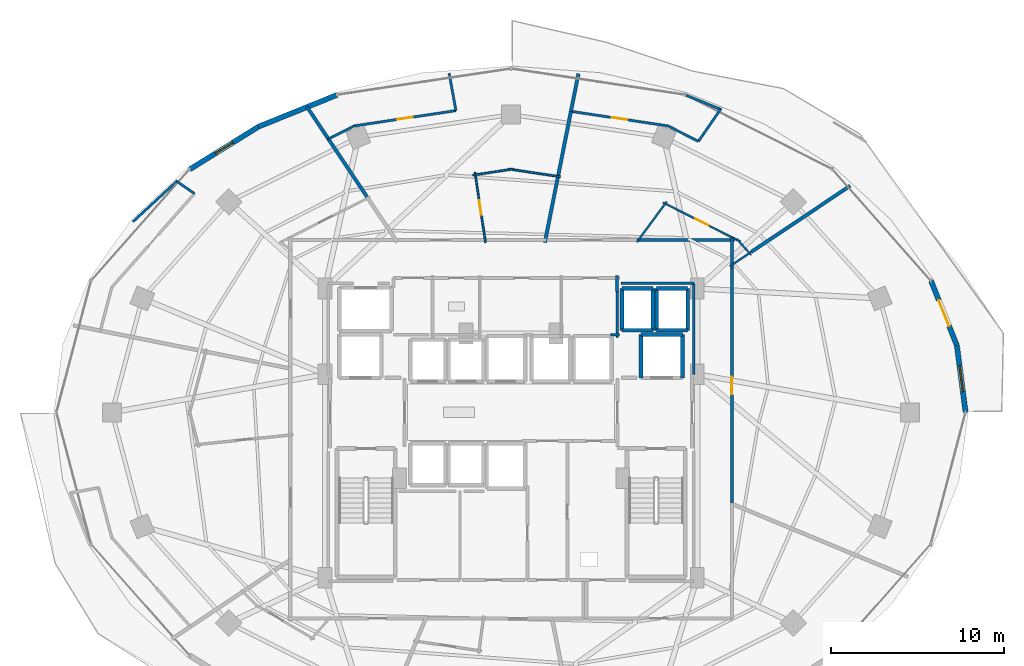
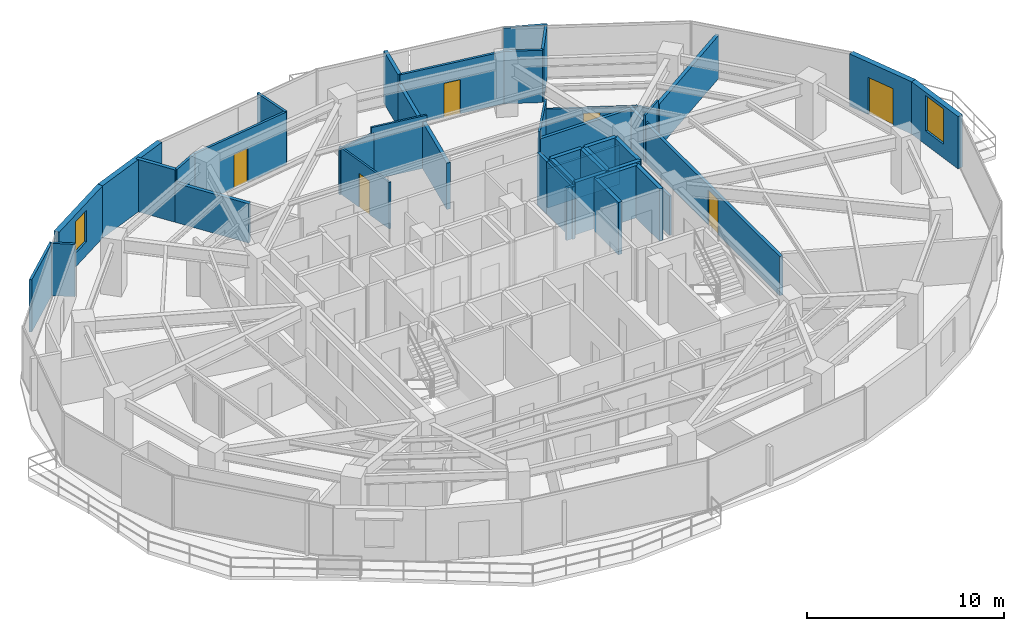
# One storey, part 25 of 29: 45 walls, 6 doors, 2 windows, 8 openings.
"""IFC4 building model written with IfcOpenShell, lengths in metres."""

from ifc_helpers import new_model, si_unit, direction, frame, frame_2d, origin, place, context, subcontext, project, spatial, rectangle, extrude, material, layer, layer_set, type_object, element, fill, save


model = new_model("IFC4")

# Units and contexts
model_context = context("Model", 3, precision=1e-05, world=origin(), true_north=direction((0.0, 1.0)))
body_context = subcontext(model_context, "Body", "Model", "MODEL_VIEW")
ifc_project = project(units=[si_unit("LENGTHUNIT", "METRE"), si_unit("AREAUNIT", "SQUARE_METRE"), si_unit("VOLUMEUNIT", "CUBIC_METRE"), si_unit("PLANEANGLEUNIT", "RADIAN"), si_unit("MASSUNIT", "GRAM", prefix="KILO")], contexts=[model_context])

# Site, building, storey
site_placement = place(None, origin())
site = spatial("IfcSite", under=ifc_project, at=site_placement, CompositionType="ELEMENT")
building_placement = place(site_placement, origin())
building = spatial("IfcBuilding", under=site, at=building_placement, Name="Vorneva Point Tower", CompositionType="ELEMENT")
storey_placement = place(building_placement, frame((0.0, 0.0, 85.800048828125)))
storey = spatial("IfcBuildingStorey", under=building, at=storey_placement, Name="L22", CompositionType="ELEMENT", Elevation=85.800048828125)

# Walls
ifc_material_1 = material(Name="Concrete B60 (C50/60)", Category="concrete")
ifc_layer_1 = layer(ifc_material_1, 0.5)
ifc_layer_set_1 = layer_set([ifc_layer_1], Name="Concrete B60 (C50/60)")
wall_type_1 = type_object("IfcWallType", Name="WL-CORE-500", PredefinedType="SHEAR", material=ifc_layer_set_1)
wall_1_placement = place(storey_placement, frame((47.89990234375, 28.0, 0.0), z_axis=(0.0, 0.0, 1.0), x_axis=(0.0, 1.0, 0.0)))
element("IfcWall", 1, at=wall_1_placement, inside=storey, type_object=wall_type_1, Name="L22 Lift FFL2 Shaft Wall +X", PredefinedType="SHEAR", context=body_context, shape_type="SweptSolid", body=[
    extrude(rectangle(XDim=2.5, YDim=0.219970703125, at=frame_2d((1.25, 0.0))), origin(), (0.0, 0.0, 1.0), 3.239990234375),
])
wall_2_placement = place(storey_placement, frame((47.89990234375, 30.5, 0.0), z_axis=(0.0, 0.0, 1.0), x_axis=(-1.0, 0.0, 0.0)))
element("IfcWall", 2, at=wall_2_placement, inside=storey, type_object=wall_type_1, Name="L22 Lift FFL2 Shaft Wall +Y", PredefinedType="SHEAR", context=body_context, shape_type="SweptSolid", body=[
    extrude(rectangle(XDim=2.39990234375, YDim=0.219970703125, at=frame_2d((1.199951171875, 0.0))), origin(), (0.0, 0.0, 1.0), 3.239990234375),
])
wall_3_placement = place(storey_placement, frame((45.5, 30.5, 0.0), z_axis=(0.0, 0.0, 1.0), x_axis=(0.0, -1.0, 0.0)))
element("IfcWall", 3, at=wall_3_placement, inside=storey, type_object=wall_type_1, Name="L22 Lift FFL2 Shaft Wall -X", PredefinedType="SHEAR", context=body_context, shape_type="SweptSolid", body=[
    extrude(rectangle(XDim=2.5, YDim=0.219970703125, at=frame_2d((1.25, 0.0))), origin(), (0.0, 0.0, 1.0), 3.239990234375),
])

# Wall, opening, window
ifc_material_2 = material(Name="Precast concrete B50 (C40/50)", Category="concrete")
ifc_layer_2 = layer(ifc_material_2, 0.300048828125)
ifc_layer_set_2 = layer_set([ifc_layer_2], Name="Precast concrete B50 (C40/50)")
wall_type_2 = type_object("IfcWallType", Name="WL-EXT-300", PredefinedType="STANDARD", material=ifc_layer_set_2)
wall_4_placement = place(storey_placement, frame((64.25, 26.0, 0.0), z_axis=(0.0, 0.0, 1.0), x_axis=(-0.129157444793, 0.991624099372, 0.0)))
wall_4 = element("IfcWall", 4, at=wall_4_placement, inside=storey, type_object=wall_type_2, Name="L22 Pale-Metal Facade Spandrel Wall 01.1", PredefinedType="STANDARD", context=body_context, shape_type="SweptSolid", body=[
    extrude(rectangle(XDim=3.9052734375, YDim=0.300048828125, at=frame_2d((1.95263671875, 0.0))), origin(), (0.0, 0.0, 1.0), 3.239990234375),
])
opening_1_placement = place(wall_4_placement, frame((1.20263671875, 0.0, 0.85009765625)))
opening_1 = element("IfcOpeningElement", 5, at=opening_1_placement, cuts=wall_4, Name="Opening W-02", PredefinedType="OPENING", context=body_context, shape_type="SweptSolid", body=[
    extrude(rectangle(XDim=1.5, YDim=2.18994140625, at=frame_2d((0.75, 1.094970703125))), frame((0.0, 0.1650390625, 0.0), z_axis=(0.0, -1.0, 0.0), x_axis=(1.0, 0.0, 0.0)), (0.0, 0.0, 1.0), 0.329833984375),
])
ifc_material_3 = material(Name="Double low-e laminated glass IGU", Category="glass")
window_type_1 = type_object("IfcWindowType", Name="WN-HTL-1500", PartitioningType="SINGLE_PANEL", PredefinedType="WINDOW", material=ifc_material_3)
window_1_placement = place(opening_1_placement, origin())
window_1 = element("IfcWindow", 6, at=window_1_placement, inside=storey, type_object=window_type_1, Name="L22 Facade Window 01", OverallHeight=2.18994140625, OverallWidth=1.5, PartitioningType="SINGLE_PANEL", PredefinedType="WINDOW", context=body_context, shape_type="SweptSolid", body=[
    extrude(rectangle(XDim=1.5, YDim=2.18994140625, at=frame_2d((0.75, 1.094970703125))), frame((0.0, 0.030029296875, 0.0), z_axis=(0.0, -1.0, 0.0), x_axis=(1.0, 0.0, 0.0)), (0.0, 0.0, 1.0), 0.06005859375),
])
fill(opening_1, window_1)

# Wall, opening, door
wall_5_placement = place(storey_placement, frame((63.74560546875, 29.87255859375, 0.0), z_axis=(0.0, 0.0, 1.0), x_axis=(-0.372345205928, 0.92809430966, 0.0)))
wall_5 = element("IfcWall", 7, at=wall_5_placement, inside=storey, type_object=wall_type_2, Name="L22 Pale-Metal Facade Spandrel Wall 01.2", PredefinedType="STANDARD", context=body_context, shape_type="SweptSolid", body=[
    extrude(rectangle(XDim=4.01220703125, YDim=0.300048828125, at=frame_2d((2.006103515625, 0.0))), origin(), (0.0, 0.0, 1.0), 3.239990234375),
])
opening_2_placement = place(wall_5_placement, frame((1.2060546875, 0.0, 0.0)))
opening_2 = element("IfcOpeningElement", 8, at=opening_2_placement, cuts=wall_5, Name="Opening BD-01", PredefinedType="OPENING", context=body_context, shape_type="SweptSolid", body=[
    extrude(rectangle(XDim=1.60009765625, YDim=2.300048828125, at=frame_2d((0.800048828125, 1.14990234375))), frame((0.0, 0.1650390625, 0.0), z_axis=(0.0, -1.0, 0.0), x_axis=(1.0, 0.0, 0.0)), (0.0, 0.0, 1.0), 0.329833984375),
])
ifc_material_4 = material(Name="Pale anodised aluminium", Category="aluminium")
door_type_1 = type_object("IfcDoorType", Name="DR-BAL-1600", OperationType="SLIDING_TO_LEFT", PredefinedType="DOOR", material=ifc_material_4)
door_1_placement = place(opening_2_placement, origin())
door_1 = element("IfcDoor", 9, at=door_1_placement, inside=storey, type_object=door_type_1, Name="L22 Balcony Terrace Access Door 01", OperationType="SLIDING_TO_LEFT", OverallHeight=2.300048828125, OverallWidth=1.60009765625, PredefinedType="DOOR", context=body_context, shape_type="SweptSolid", body=[
    extrude(rectangle(XDim=1.60009765625, YDim=2.300048828125, at=frame_2d((0.800048828125, 1.14990234375))), frame((0.0, 0.02490234375, 0.0), z_axis=(0.0, -1.0, 0.0), x_axis=(1.0, 0.0, 0.0)), (0.0, 0.0, 1.0), 0.050048828125),
])
fill(opening_2, door_1)

# Wall
wall_6_placement = place(storey_placement, frame((27.95458984375, 44.339111328125, 0.0), z_axis=(0.0, 0.0, 1.0), x_axis=(-0.927122233109, -0.374759075775, 0.0)))
element("IfcWall", 10, at=wall_6_placement, inside=storey, type_object=wall_type_2, Name="L22 Pale-Metal Facade Spandrel Wall 06.1", PredefinedType="STANDARD", context=body_context, shape_type="SweptSolid", body=[
    extrude(rectangle(XDim=4.89501953125, YDim=0.300048828125, at=frame_2d((2.447509765625, 0.0))), origin(), (0.0, 0.0, 1.0), 3.239990234375),
])

# Wall, opening, window
wall_7_placement = place(storey_placement, frame((23.416259765625, 42.504638671875, 0.0), z_axis=(0.0, 0.0, 1.0), x_axis=(-0.849684479743, -0.527291461038, 0.0)))
wall_7 = element("IfcWall", 11, at=wall_7_placement, inside=storey, type_object=wall_type_2, Name="L22 Pale-Metal Facade Spandrel Wall 06.2", PredefinedType="STANDARD", context=body_context, shape_type="SweptSolid", body=[
    extrude(rectangle(XDim=4.681396484375, YDim=0.300048828125, at=frame_2d((2.3408203125, 0.0))), origin(), (0.0, 0.0, 1.0), 3.239990234375),
])
opening_3_placement = place(wall_7_placement, frame((1.74072265625, 0.0, 0.85009765625)))
opening_3 = element("IfcOpeningElement", 12, at=opening_3_placement, cuts=wall_7, Name="Opening W-04", PredefinedType="OPENING", context=body_context, shape_type="SweptSolid", body=[
    extrude(rectangle(XDim=1.199951171875, YDim=1.949951171875, at=frame_2d((0.60009765625, 0.97509765625))), frame((0.0, 0.1650390625, 0.0), z_axis=(0.0, -1.0, 0.0), x_axis=(1.0, 0.0, 0.0)), (0.0, 0.0, 1.0), 0.329833984375),
])
window_type_2 = type_object("IfcWindowType", Name="WN-RES-1200", PartitioningType="SINGLE_PANEL", PredefinedType="WINDOW", material=ifc_material_3)
window_2_placement = place(opening_3_placement, origin())
window_2 = element("IfcWindow", 13, at=window_2_placement, inside=storey, type_object=window_type_2, Name="L22 Dwelling Vision Window 01", OverallHeight=1.949951171875, OverallWidth=1.199951171875, PartitioningType="SINGLE_PANEL", PredefinedType="WINDOW", context=body_context, shape_type="SweptSolid", body=[
    extrude(rectangle(XDim=1.199951171875, YDim=1.949951171875, at=frame_2d((0.60009765625, 0.97509765625))), frame((0.0, 0.030029296875, 0.0), z_axis=(0.0, -1.0, 0.0), x_axis=(1.0, 0.0, 0.0)), (0.0, 0.0, 1.0), 0.06005859375),
])
fill(opening_3, window_2)

# Wall
ifc_material_5 = material(Name="Fire-rated acoustic gypsum stud partition", Category="gypsum")
ifc_layer_3 = layer(ifc_material_5, 0.110107421875)
ifc_layer_set_3 = layer_set([ifc_layer_3], Name="Fire-rated acoustic gypsum stud partition")
wall_type_3 = type_object("IfcWallType", Name="WL-PART-110", PredefinedType="PARTITIONING", material=ifc_layer_set_3)
wall_8_placement = place(storey_placement, frame((45.265869140625, 35.83740234375, 0.0), z_axis=(0.0, 0.0, 1.0), x_axis=(0.594069015324, 0.804414075605, 0.0)))
element("IfcWall", 14, at=wall_8_placement, inside=storey, type_object=wall_type_3, Name="L22 Interior Partition 045", PredefinedType="PARTITIONING", context=body_context, shape_type="SweptSolid", body=[
    extrude(rectangle(XDim=2.8994140625, YDim=0.110107421875, at=frame_2d((1.44970703125, 0.0))), origin(), (0.0, 0.0, 1.0), 2.921875),
])

# Wall, opening, door
wall_9_placement = place(storey_placement, frame((46.780029296875, 38.1201171875, 0.0), z_axis=(0.0, 0.0, 1.0), x_axis=(0.892517538434, -0.451012686726, 0.0)))
wall_9 = element("IfcWall", 15, at=wall_9_placement, inside=storey, type_object=wall_type_3, Name="L22 Interior Partition 046", PredefinedType="PARTITIONING", context=body_context, shape_type="SweptSolid", body=[
    extrude(rectangle(XDim=5.007080078125, YDim=0.110107421875, at=frame_2d((2.50341796875, 0.0))), origin(), (0.0, 0.0, 1.0), 2.431884765625),
])
opening_4_placement = place(wall_9_placement, frame((2.07861328125, 0.0, 0.0)))
opening_4 = element("IfcOpeningElement", 16, at=opening_4_placement, cuts=wall_9, Name="Opening ID-02", PredefinedType="OPENING", context=body_context, shape_type="SweptSolid", body=[
    extrude(rectangle(XDim=0.85009765625, YDim=2.10009765625, at=frame_2d((0.425048828125, 1.050048828125))), frame((0.0, 0.06982421875, 0.0), z_axis=(0.0, -1.0, 0.0), x_axis=(1.0, 0.0, 0.0)), (0.0, 0.0, 1.0), 0.139892578125),
])
ifc_material_6 = material(Name="Engineered oak fire-rated door leaf", Category="wood")
door_type_2 = type_object("IfcDoorType", Name="DR-BATH-850", OperationType="NOTDEFINED", PredefinedType="DOOR", material=ifc_material_6)
door_2_placement = place(opening_4_placement, origin())
door_2 = element("IfcDoor", 17, at=door_2_placement, inside=storey, type_object=door_type_2, Name="L22 Door Corner Suite L22-01 / En-Suite Bathroom L22-01", OperationType="SINGLE_SWING_LEFT", OverallHeight=2.10009765625, OverallWidth=0.85009765625, PredefinedType="DOOR", context=body_context, shape_type="SweptSolid", body=[
    extrude(rectangle(XDim=0.85009765625, YDim=2.10009765625, at=frame_2d((0.425048828125, 1.050048828125))), frame((0.0, 0.02490234375, 0.0), z_axis=(0.0, -1.0, 0.0), x_axis=(1.0, 0.0, 0.0)), (0.0, 0.0, 1.0), 0.050048828125),
])
fill(opening_4, door_2)

# Walls
wall_10_placement = place(storey_placement, frame((51.03125, 36.02978515625, 0.0), z_axis=(0.0, 0.0, 1.0), x_axis=(0.661996266618, -0.749507133377, 0.0)))
element("IfcWall", 18, at=wall_10_placement, inside=storey, type_object=wall_type_3, Name="L22 Interior Partition 047", PredefinedType="PARTITIONING", context=body_context, shape_type="SweptSolid", body=[
    extrude(rectangle(XDim=1.249755859375, YDim=0.110107421875, at=frame_2d((0.625, 0.0))), origin(), (0.0, 0.0, 1.0), 2.431884765625),
])
wall_11_placement = place(storey_placement, frame((51.88232421875, 35.27587890625, 0.0), z_axis=(0.0, 0.0, 1.0), x_axis=(-0.831374526136, -0.555712513169, 0.0)))
element("IfcWall", 19, at=wall_11_placement, inside=storey, type_object=wall_type_3, Name="L22 Interior Partition 048", PredefinedType="PARTITIONING", context=body_context, shape_type="SweptSolid", body=[
    extrude(rectangle(XDim=1.501953125, YDim=0.110107421875, at=frame_2d((0.7509765625, 0.0))), origin(), (0.0, 0.0, 1.0), 2.921875),
])

# Wall, opening, door
wall_12_placement = place(storey_placement, frame((36.52490234375, 35.8115234375, 0.0), z_axis=(0.0, 0.0, 1.0), x_axis=(-0.148739497936, 0.988876413792, 0.0)))
wall_12 = element("IfcWall", 20, at=wall_12_placement, inside=storey, type_object=wall_type_3, Name="L22 Interior Partition 057", PredefinedType="PARTITIONING", context=body_context, shape_type="SweptSolid", body=[
    extrude(rectangle(XDim=4.0986328125, YDim=0.110107421875, at=frame_2d((2.04931640625, 0.0))), origin(), (0.0, 0.0, 1.0), 2.8740234375),
])
opening_5_placement = place(wall_12_placement, frame((1.624267578125, 0.0, 0.0)))
opening_5 = element("IfcOpeningElement", 21, at=opening_5_placement, cuts=wall_12, Name="Opening ID-02", PredefinedType="OPENING", context=body_context, shape_type="SweptSolid", body=[
    extrude(rectangle(XDim=0.85009765625, YDim=2.10009765625, at=frame_2d((0.425048828125, 1.050048828125))), frame((0.0, 0.06982421875, 0.0), z_axis=(0.0, -1.0, 0.0), x_axis=(1.0, 0.0, 0.0)), (0.0, 0.0, 1.0), 0.139892578125),
])
door_3_placement = place(opening_5_placement, origin())
door_3 = element("IfcDoor", 22, at=door_3_placement, inside=storey, type_object=door_type_2, Name="L22 Door Junior Suite L22-02 / En-Suite Bathroom L22-02", OperationType="SINGLE_SWING_LEFT", OverallHeight=2.10009765625, OverallWidth=0.85009765625, PredefinedType="DOOR", context=body_context, shape_type="SweptSolid", body=[
    extrude(rectangle(XDim=0.85009765625, YDim=2.10009765625, at=frame_2d((0.425048828125, 1.050048828125))), frame((0.0, 0.02490234375, 0.0), z_axis=(0.0, -1.0, 0.0), x_axis=(1.0, 0.0, 0.0)), (0.0, 0.0, 1.0), 0.050048828125),
])
fill(opening_5, door_3)

# Walls
wall_13_placement = place(storey_placement, frame((35.797607421875, 39.705078125, 0.0), z_axis=(0.0, 0.0, 1.0), x_axis=(0.988893947493, 0.148622880511, 0.0)))
element("IfcWall", 23, at=wall_13_placement, inside=storey, type_object=wall_type_3, Name="L22 Interior Partition 058", PredefinedType="PARTITIONING", context=body_context, shape_type="SweptSolid", body=[
    extrude(rectangle(XDim=2.3671875, YDim=0.110107421875, at=frame_2d((1.18359375, 0.0))), origin(), (0.0, 0.0, 1.0), 2.8740234375),
])
wall_14_placement = place(storey_placement, frame((37.861572265625, 40.056884765625, 0.0), z_axis=(0.0, 0.0, 1.0), x_axis=(0.988861549405, -0.148838288446, 0.0)))
element("IfcWall", 24, at=wall_14_placement, inside=storey, type_object=wall_type_3, Name="L22 Interior Partition 059", PredefinedType="PARTITIONING", context=body_context, shape_type="SweptSolid", body=[
    extrude(rectangle(XDim=3.021484375, YDim=0.110107421875, at=frame_2d((1.5107421875, 0.0))), origin(), (0.0, 0.0, 1.0), 3.239990234375),
])
ifc_layer_4 = layer(ifc_material_5, 0.139892578125)
ifc_layer_set_4 = layer_set([ifc_layer_4], Name="Fire-rated acoustic gypsum stud partition")
wall_type_4 = type_object("IfcWallType", Name="WL-PART-140", PredefinedType="PARTITIONING", material=ifc_layer_set_4)
wall_15_placement = place(storey_placement, frame((50.10009765625, 43.507080078125, 0.0), z_axis=(0.0, 0.0, 1.0), x_axis=(-0.568470595976, -0.822703580587, 0.0)))
element("IfcWall", 25, at=wall_15_placement, inside=storey, type_object=wall_type_4, Name="L22 Interior Partition 049", PredefinedType="PARTITIONING", context=body_context, shape_type="SweptSolid", body=[
    extrude(rectangle(XDim=2.25, YDim=0.139892578125, at=frame_2d((1.125, 0.0))), origin(), (0.0, 0.0, 1.0), 3.239990234375),
])
wall_16_placement = place(storey_placement, frame((48.821044921875, 41.656005859375, 0.0), z_axis=(0.0, 0.0, 1.0), x_axis=(-0.892511395612, 0.451024842668, 0.0)))
element("IfcWall", 26, at=wall_16_placement, inside=storey, type_object=wall_type_4, Name="L22 Interior Partition 050", PredefinedType="PARTITIONING", context=body_context, shape_type="SweptSolid", body=[
    extrude(rectangle(XDim=1.970947265625, YDim=0.139892578125, at=frame_2d((0.9853515625, 0.0))), origin(), (0.0, 0.0, 1.0), 3.239990234375),
])

# Wall, opening, door
wall_17_placement = place(storey_placement, frame((47.06201171875, 42.544921875, 0.0), z_axis=(0.0, 0.0, 1.0), x_axis=(-0.988869883596, 0.148782906669, 0.0)))
wall_17 = element("IfcWall", 27, at=wall_17_placement, inside=storey, type_object=wall_type_4, Name="L22 Interior Partition 051", PredefinedType="PARTITIONING", context=body_context, shape_type="SweptSolid", body=[
    extrude(rectangle(XDim=5.666015625, YDim=0.139892578125, at=frame_2d((2.8330078125, 0.0))), origin(), (0.0, 0.0, 1.0), 3.239990234375),
])
opening_6_placement = place(wall_17_placement, frame((2.383056640625, 0.0, 0.0)))
opening_6 = element("IfcOpeningElement", 28, at=opening_6_placement, cuts=wall_17, Name="Opening ID-01", PredefinedType="OPENING", context=body_context, shape_type="SweptSolid", body=[
    extrude(rectangle(XDim=0.89990234375, YDim=2.10009765625, at=frame_2d((0.449951171875, 1.050048828125))), frame((0.0, 0.0849609375, 0.0), z_axis=(0.0, -1.0, 0.0), x_axis=(1.0, 0.0, 0.0)), (0.0, 0.0, 1.0), 0.169677734375),
])
door_type_3 = type_object("IfcDoorType", Name="DR-ROOM-900", OperationType="NOTDEFINED", PredefinedType="DOOR", material=ifc_material_6)
door_4_placement = place(opening_6_placement, origin())
door_4 = element("IfcDoor", 29, at=door_4_placement, inside=storey, type_object=door_type_3, Name="L22 Door Corner Suite L22-01 / Suite Sitting Study L22-01", OperationType="SINGLE_SWING_RIGHT", OverallHeight=2.10009765625, OverallWidth=0.89990234375, PredefinedType="DOOR", context=body_context, shape_type="SweptSolid", body=[
    extrude(rectangle(XDim=0.89990234375, YDim=2.10009765625, at=frame_2d((0.449951171875, 1.050048828125))), frame((0.0, 0.02490234375, 0.0), z_axis=(0.0, -1.0, 0.0), x_axis=(1.0, 0.0, 0.0)), (0.0, 0.0, 1.0), 0.050048828125),
])
fill(opening_6, door_4)

# Walls
wall_18_placement = place(storey_placement, frame((50.156005859375, 43.485107421875, 0.0), z_axis=(0.0, 0.0, 1.0), x_axis=(-0.926988791776, 0.375089029327, 0.0)))
element("IfcWall", 30, at=wall_18_placement, inside=storey, type_object=wall_type_4, Name="L22 Interior Partition 052", PredefinedType="PARTITIONING", context=body_context, shape_type="SweptSolid", body=[
    extrude(rectangle(XDim=2.26318359375, YDim=0.139892578125, at=frame_2d((1.131591796875, 0.0))), origin(), (0.0, 0.0, 1.0), 3.239990234375),
])
wall_19_placement = place(storey_placement, frame((34.424072265625, 45.5830078125, 0.0), z_axis=(0.0, 0.0, 1.0), x_axis=(0.179405454878, -0.983775219631, 0.0)))
element("IfcWall", 31, at=wall_19_placement, inside=storey, type_object=wall_type_4, Name="L22 Interior Partition 060", PredefinedType="PARTITIONING", context=body_context, shape_type="SweptSolid", body=[
    extrude(rectangle(XDim=2.189697265625, YDim=0.139892578125, at=frame_2d((1.0947265625, 0.0))), origin(), (0.0, 0.0, 1.0), 3.239990234375),
])

# Wall, opening, door
wall_20_placement = place(storey_placement, frame((34.81689453125, 43.428955078125, 0.0), z_axis=(0.0, 0.0, 1.0), x_axis=(-0.988882066939, -0.14870190882, 0.0)))
wall_20 = element("IfcWall", 32, at=wall_20_placement, inside=storey, type_object=wall_type_4, Name="L22 Interior Partition 061", PredefinedType="PARTITIONING", context=body_context, shape_type="SweptSolid", body=[
    extrude(rectangle(XDim=5.945068359375, YDim=0.139892578125, at=frame_2d((2.97265625, 0.0))), origin(), (0.0, 0.0, 1.0), 3.239990234375),
])
opening_7_placement = place(wall_20_placement, frame((2.5224609375, 0.0, 0.0)))
opening_7 = element("IfcOpeningElement", 33, at=opening_7_placement, cuts=wall_20, Name="Opening ID-01", PredefinedType="OPENING", context=body_context, shape_type="SweptSolid", body=[
    extrude(rectangle(XDim=0.89990234375, YDim=2.10009765625, at=frame_2d((0.449951171875, 1.050048828125))), frame((0.0, 0.0849609375, 0.0), z_axis=(0.0, -1.0, 0.0), x_axis=(1.0, 0.0, 0.0)), (0.0, 0.0, 1.0), 0.169677734375),
])
door_5_placement = place(opening_7_placement, origin())
door_5 = element("IfcDoor", 34, at=door_5_placement, inside=storey, type_object=door_type_3, Name="L22 Door Junior Suite L22-02 / Suite Sitting Study L22-02", OperationType="SINGLE_SWING_RIGHT", OverallHeight=2.10009765625, OverallWidth=0.89990234375, PredefinedType="DOOR", context=body_context, shape_type="SweptSolid", body=[
    extrude(rectangle(XDim=0.89990234375, YDim=2.10009765625, at=frame_2d((0.449951171875, 1.050048828125))), frame((0.0, 0.02490234375, 0.0), z_axis=(0.0, -1.0, 0.0), x_axis=(1.0, 0.0, 0.0)), (0.0, 0.0, 1.0), 0.050048828125),
])
fill(opening_7, door_5)

# Walls
wall_21_placement = place(storey_placement, frame((28.93798828125, 42.544921875, 0.0), z_axis=(0.0, 0.0, 1.0), x_axis=(-0.892517956507, -0.451011859392, 0.0)))
element("IfcWall", 35, at=wall_21_placement, inside=storey, type_object=wall_type_4, Name="L22 Interior Partition 062", PredefinedType="PARTITIONING", context=body_context, shape_type="SweptSolid", body=[
    extrude(rectangle(XDim=1.66943359375, YDim=0.139892578125, at=frame_2d((0.834716796875, 0.0))), origin(), (0.0, 0.0, 1.0), 3.239990234375),
])
wall_22_placement = place(storey_placement, frame((18.736083984375, 39.386962890625, 0.0), z_axis=(0.0, 0.0, 1.0), x_axis=(-0.734814136931, -0.678268519221, 0.0)))
element("IfcWall", 36, at=wall_22_placement, inside=storey, type_object=wall_type_4, Name="L22 Interior Partition 068", PredefinedType="PARTITIONING", context=body_context, shape_type="SweptSolid", body=[
    extrude(rectangle(XDim=3.50146484375, YDim=0.139892578125, at=frame_2d((1.750732421875, 0.0))), origin(), (0.0, 0.0, 1.0), 3.239990234375),
])
wall_23_placement = place(storey_placement, frame((18.69091796875, 39.344970703125, 0.0), z_axis=(0.0, 0.0, 1.0), x_axis=(0.822746935214, -0.568407847057, 0.0)))
element("IfcWall", 37, at=wall_23_placement, inside=storey, type_object=wall_type_4, Name="L22 Interior Partition 069", PredefinedType="PARTITIONING", context=body_context, shape_type="SweptSolid", body=[
    extrude(rectangle(XDim=1.250732421875, YDim=0.139892578125, at=frame_2d((0.62548828125, 0.0))), origin(), (0.0, 0.0, 1.0), 3.239990234375),
])
wall_24_placement = place(storey_placement, frame((43.735107421875, 30.47998046875, 0.0), z_axis=(0.0, 0.0, 1.0), x_axis=(1.0, 0.0, 0.0)))
element("IfcWall", 38, at=wall_24_placement, inside=storey, type_object=wall_type_4, Name="L22 Interior Closure Partition 097", PredefinedType="PARTITIONING", context=body_context, shape_type="SweptSolid", body=[
    extrude(rectangle(XDim=0.52490234375, YDim=0.139892578125, at=frame_2d((0.262451171875, 0.0))), origin(), (0.0, 0.0, 1.0), 3.239990234375),
])
wall_25_placement = place(storey_placement, frame((44.1201171875, 30.340087890625, 0.0), z_axis=(0.0, 0.0, 1.0), x_axis=(0.0, 1.0, 0.0)))
element("IfcWall", 39, at=wall_25_placement, inside=storey, type_object=wall_type_4, Name="L22 Interior Closure Partition 098", PredefinedType="PARTITIONING", context=body_context, shape_type="SweptSolid", body=[
    extrude(rectangle(XDim=2.659912109375, YDim=0.139892578125, at=frame_2d((1.330078125, 0.0))), origin(), (0.0, 0.0, 1.0), 3.239990234375),
])
wall_26_placement = place(storey_placement, frame((44.340087890625, 33.449951171875, 0.0), z_axis=(0.0, 0.0, 1.0), x_axis=(1.0, 0.0, 0.0)))
element("IfcWall", 40, at=wall_26_placement, inside=storey, type_object=wall_type_4, Name="L22 Interior Closure Partition 101", PredefinedType="PARTITIONING", context=body_context, shape_type="SweptSolid", body=[
    extrude(rectangle(XDim=4.2099609375, YDim=0.139892578125, at=frame_2d((2.10498046875, 0.0))), origin(), (0.0, 0.0, 1.0), 2.431884765625),
])
wall_27_placement = place(storey_placement, frame((48.550048828125, 33.449951171875, 0.0), z_axis=(0.0, 0.0, 1.0), x_axis=(0.0, -1.0, 0.0)))
element("IfcWall", 41, at=wall_27_placement, inside=storey, type_object=wall_type_4, Name="L22 Interior Closure Partition 102", PredefinedType="PARTITIONING", context=body_context, shape_type="SweptSolid", body=[
    extrude(rectangle(XDim=5.25390625, YDim=0.139892578125, at=frame_2d((2.626953125, 0.0))), origin(), (0.0, 0.0, 1.0), 2.431884765625),
])
ifc_material_7 = material(Name="Autoclaved aerated concrete blockwork", Category="masonry")
ifc_layer_5 = layer(ifc_material_7, 0.179931640625)
ifc_layer_set_5 = layer_set([ifc_layer_5], Name="Autoclaved aerated concrete blockwork")
wall_type_5 = type_object("IfcWallType", Name="WL-PART-180", PredefinedType="PARTITIONING", material=ifc_layer_set_5)
wall_28_placement = place(storey_placement, frame((44.1201171875, 32.969970703125, 0.0), z_axis=(0.0, 0.0, 1.0), x_axis=(0.0, 1.0, 0.0)))
element("IfcWall", 42, at=wall_28_placement, inside=storey, type_object=wall_type_5, Name="L22 Interior Partition 020", PredefinedType="PARTITIONING", context=body_context, shape_type="SweptSolid", body=[
    extrude(rectangle(XDim=0.929931640625, YDim=0.179931640625, at=frame_2d((0.46484375, 0.0))), origin(), (0.0, 0.0, 1.0), 3.239990234375),
])
wall_29_placement = place(storey_placement, frame((50.75, 34.319091796875, 0.0), z_axis=(0.0, 0.0, 1.0), x_axis=(0.0, 1.0, 0.0)))
element("IfcWall", 43, at=wall_29_placement, inside=storey, type_object=wall_type_5, Name="L22 Interior Partition 025", PredefinedType="PARTITIONING", context=body_context, shape_type="SweptSolid", body=[
    extrude(rectangle(XDim=1.77099609375, YDim=0.179931640625, at=frame_2d((0.885498046875, 0.0))), origin(), (0.0, 0.0, 1.0), 2.431884765625),
])
wall_30_placement = place(storey_placement, frame((50.889892578125, 35.949951171875, 0.0), z_axis=(0.0, 0.0, 1.0), x_axis=(-1.0, 0.0, 0.0)))
element("IfcWall", 44, at=wall_30_placement, inside=storey, type_object=wall_type_5, Name="L22 Interior Partition 026", PredefinedType="PARTITIONING", context=body_context, shape_type="SweptSolid", body=[
    extrude(rectangle(XDim=5.60595703125, YDim=0.179931640625, at=frame_2d((2.802978515625, 0.0))), origin(), (0.0, 0.0, 1.0), 2.431884765625),
])

# Wall, opening, door
wall_31_placement = place(storey_placement, frame((50.75, 20.779052734375, 0.0), z_axis=(0.0, 0.0, 1.0), x_axis=(0.0, 1.0, 0.0)))
wall_31 = element("IfcWall", 45, at=wall_31_placement, inside=storey, type_object=wall_type_5, Name="L22 Interior Partition 044", PredefinedType="PARTITIONING", context=body_context, shape_type="SweptSolid", body=[
    extrude(rectangle(XDim=13.5400390625, YDim=0.179931640625, at=frame_2d((6.77001953125, 0.0))), origin(), (0.0, 0.0, 1.0), 2.431884765625),
])
opening_8_placement = place(wall_31_placement, frame((6.27001953125, 0.0, 0.0)))
opening_8 = element("IfcOpeningElement", 46, at=opening_8_placement, cuts=wall_31, Name="Opening UD-01", PredefinedType="OPENING", context=body_context, shape_type="SweptSolid", body=[
    extrude(rectangle(XDim=1.0, YDim=2.14990234375, at=frame_2d((0.5, 1.074951171875))), frame((0.0, 0.10498046875, 0.0), z_axis=(0.0, -1.0, 0.0), x_axis=(1.0, 0.0, 0.0)), (0.0, 0.0, 1.0), 0.209716796875),
])
door_type_4 = type_object("IfcDoorType", Name="DR-UNIT-1000", OperationType="NOTDEFINED", PredefinedType="DOOR", material=ifc_material_6)
door_6_placement = place(opening_8_placement, origin())
door_6 = element("IfcDoor", 47, at=door_6_placement, inside=storey, type_object=door_type_4, Name="L22 Door L22 Circulation Corridor / Hotel Club Lounge L22-08", OperationType="SINGLE_SWING_RIGHT", OverallHeight=2.14990234375, OverallWidth=1.0, PredefinedType="DOOR", context=body_context, shape_type="SweptSolid", body=[
    extrude(rectangle(XDim=1.0, YDim=2.14990234375, at=frame_2d((0.5, 1.074951171875))), frame((0.0, 0.02490234375, 0.0), z_axis=(0.0, -1.0, 0.0), x_axis=(1.0, 0.0, 0.0)), (0.0, 0.0, 1.0), 0.050048828125),
])
fill(opening_8, door_6)

# Walls
ifc_layer_6 = layer(ifc_material_7, 0.199951171875)
ifc_layer_set_6 = layer_set([ifc_layer_6], Name="Autoclaved aerated concrete blockwork")
wall_type_6 = type_object("IfcWallType", Name="WL-PART-200", PredefinedType="PARTITIONING", material=ifc_layer_set_6)
wall_32_placement = place(storey_placement, frame((41.458984375, 43.387939453125, 0.0), z_axis=(0.0, 0.0, 1.0), x_axis=(-0.195187593062, -0.980765926975, 0.0)))
element("IfcWall", 48, at=wall_32_placement, inside=storey, type_object=wall_type_6, Name="L22 Interior Partition 053", PredefinedType="PARTITIONING", context=body_context, shape_type="SweptSolid", body=[
    extrude(rectangle(XDim=3.893798828125, YDim=0.199951171875, at=frame_2d((1.94677734375, 0.0))), origin(), (0.0, 0.0, 1.0), 2.677001953125),
])
wall_33_placement = place(storey_placement, frame((40.726806640625, 39.706298828125, 0.0), z_axis=(0.0, 0.0, 1.0), x_axis=(-0.195252736913, -0.980752960091, 0.0)))
element("IfcWall", 49, at=wall_33_placement, inside=storey, type_object=wall_type_6, Name="L22 Interior Partition 054", PredefinedType="PARTITIONING", context=body_context, shape_type="SweptSolid", body=[
    extrude(rectangle(XDim=3.969970703125, YDim=0.199951171875, at=frame_2d((1.98486328125, 0.0))), origin(), (0.0, 0.0, 1.0), 2.8740234375),
])
wall_34_placement = place(storey_placement, frame((51.882568359375, 35.275634765625, 0.0), z_axis=(0.0, 0.0, 1.0), x_axis=(0.831464132421, 0.555578434154, 0.0)))
element("IfcWall", 50, at=wall_34_placement, inside=storey, type_object=wall_type_6, Name="L22 Interior Partition 055", PredefinedType="PARTITIONING", context=body_context, shape_type="SweptSolid", body=[
    extrude(rectangle(XDim=6.86181640625, YDim=0.199951171875, at=frame_2d((3.430908203125, 0.0))), origin(), (0.0, 0.0, 1.0), 2.677001953125),
])
wall_35_placement = place(storey_placement, frame((41.89111328125, 45.55908203125, 0.0), z_axis=(0.0, 0.0, 1.0), x_axis=(-0.195204079936, -0.980762645688, 0.0)))
element("IfcWall", 51, at=wall_35_placement, inside=storey, type_object=wall_type_6, Name="L22 Interior Partition 056", PredefinedType="PARTITIONING", context=body_context, shape_type="SweptSolid", body=[
    extrude(rectangle(XDim=2.213623046875, YDim=0.199951171875, at=frame_2d((1.10693359375, 0.0))), origin(), (0.0, 0.0, 1.0), 3.239990234375),
])
wall_36_placement = place(storey_placement, frame((27.447998046875, 41.7919921875, 0.0), z_axis=(0.0, 0.0, 1.0), x_axis=(0.555619383998, -0.831436768567, 0.0)))
element("IfcWall", 52, at=wall_36_placement, inside=storey, type_object=wall_type_6, Name="L22 Interior Partition 063", PredefinedType="PARTITIONING", context=body_context, shape_type="SweptSolid", body=[
    extrude(rectangle(XDim=4.16650390625, YDim=0.199951171875, at=frame_2d((2.083251953125, 0.0))), origin(), (0.0, 0.0, 1.0), 2.431884765625),
])
wall_37_placement = place(storey_placement, frame((26.217041015625, 43.635009765625, 0.0), z_axis=(0.0, 0.0, 1.0), x_axis=(0.555411777185, -0.831575467269, 0.0)))
element("IfcWall", 53, at=wall_37_placement, inside=storey, type_object=wall_type_6, Name="L22 Interior Partition 065", PredefinedType="PARTITIONING", context=body_context, shape_type="SweptSolid", body=[
    extrude(rectangle(XDim=2.21630859375, YDim=0.199951171875, at=frame_2d((1.108154296875, 0.0))), origin(), (0.0, 0.0, 1.0), 3.239990234375),
])
ifc_material_8 = material(Name="Concrete B50 (C40/50)", Category="concrete")
ifc_layer_7 = layer(ifc_material_8, 0.219970703125)
ifc_layer_set_7 = layer_set([ifc_layer_7], Name="Concrete B50 (C40/50)")
wall_type_7 = type_object("IfcWallType", Name="WL-SHFT-220", PredefinedType="SOLIDWALL", material=ifc_layer_set_7)
wall_38_placement = place(storey_placement, frame((44.39990234375, 30.739990234375, 0.0), z_axis=(0.0, 0.0, 1.0), x_axis=(1.0, 0.0, 0.0)))
element("IfcWall", 54, at=wall_38_placement, inside=storey, type_object=wall_type_7, Name="L22 Lift EX1 Shaft Wall -Y", PredefinedType="SOLIDWALL", context=body_context, shape_type="SweptSolid", body=[
    extrude(rectangle(XDim=1.800048828125, YDim=0.219970703125, at=frame_2d((0.89990234375, 0.0))), origin(), (0.0, 0.0, 1.0), 3.239990234375),
])
wall_39_placement = place(storey_placement, frame((46.199951171875, 30.739990234375, 0.0), z_axis=(0.0, 0.0, 1.0), x_axis=(0.0, 1.0, 0.0)))
element("IfcWall", 55, at=wall_39_placement, inside=storey, type_object=wall_type_7, Name="L22 Lift EX1 Shaft Wall +X", PredefinedType="SOLIDWALL", context=body_context, shape_type="SweptSolid", body=[
    extrude(rectangle(XDim=2.419921875, YDim=0.219970703125, at=frame_2d((1.2099609375, 0.0))), origin(), (0.0, 0.0, 1.0), 3.239990234375),
])
wall_40_placement = place(storey_placement, frame((46.199951171875, 33.159912109375, 0.0), z_axis=(0.0, 0.0, 1.0), x_axis=(-1.0, 0.0, 0.0)))
element("IfcWall", 56, at=wall_40_placement, inside=storey, type_object=wall_type_7, Name="L22 Lift EX1 Shaft Wall +Y", PredefinedType="SOLIDWALL", context=body_context, shape_type="SweptSolid", body=[
    extrude(rectangle(XDim=1.800048828125, YDim=0.219970703125, at=frame_2d((0.89990234375, 0.0))), origin(), (0.0, 0.0, 1.0), 3.239990234375),
])
wall_41_placement = place(storey_placement, frame((44.39990234375, 33.159912109375, 0.0), z_axis=(0.0, 0.0, 1.0), x_axis=(0.0, -1.0, 0.0)))
element("IfcWall", 57, at=wall_41_placement, inside=storey, type_object=wall_type_7, Name="L22 Lift EX1 Shaft Wall -X", PredefinedType="SOLIDWALL", context=body_context, shape_type="SweptSolid", body=[
    extrude(rectangle(XDim=2.419921875, YDim=0.219970703125, at=frame_2d((1.2099609375, 0.0))), origin(), (0.0, 0.0, 1.0), 3.239990234375),
])
wall_42_placement = place(storey_placement, frame((46.39990234375, 30.739990234375, 0.0), z_axis=(0.0, 0.0, 1.0), x_axis=(1.0, 0.0, 0.0)))
element("IfcWall", 58, at=wall_42_placement, inside=storey, type_object=wall_type_7, Name="L22 Lift EX2 Shaft Wall -Y", PredefinedType="SOLIDWALL", context=body_context, shape_type="SweptSolid", body=[
    extrude(rectangle(XDim=1.800048828125, YDim=0.219970703125, at=frame_2d((0.89990234375, 0.0))), origin(), (0.0, 0.0, 1.0), 3.239990234375),
])
wall_43_placement = place(storey_placement, frame((48.199951171875, 30.739990234375, 0.0), z_axis=(0.0, 0.0, 1.0), x_axis=(0.0, 1.0, 0.0)))
element("IfcWall", 59, at=wall_43_placement, inside=storey, type_object=wall_type_7, Name="L22 Lift EX2 Shaft Wall +X", PredefinedType="SOLIDWALL", context=body_context, shape_type="SweptSolid", body=[
    extrude(rectangle(XDim=2.419921875, YDim=0.219970703125, at=frame_2d((1.2099609375, 0.0))), origin(), (0.0, 0.0, 1.0), 3.239990234375),
])
wall_44_placement = place(storey_placement, frame((48.199951171875, 33.159912109375, 0.0), z_axis=(0.0, 0.0, 1.0), x_axis=(-1.0, 0.0, 0.0)))
element("IfcWall", 60, at=wall_44_placement, inside=storey, type_object=wall_type_7, Name="L22 Lift EX2 Shaft Wall +Y", PredefinedType="SOLIDWALL", context=body_context, shape_type="SweptSolid", body=[
    extrude(rectangle(XDim=1.800048828125, YDim=0.219970703125, at=frame_2d((0.89990234375, 0.0))), origin(), (0.0, 0.0, 1.0), 3.239990234375),
])
wall_45_placement = place(storey_placement, frame((46.39990234375, 33.159912109375, 0.0), z_axis=(0.0, 0.0, 1.0), x_axis=(0.0, -1.0, 0.0)))
element("IfcWall", 61, at=wall_45_placement, inside=storey, type_object=wall_type_7, Name="L22 Lift EX2 Shaft Wall -X", PredefinedType="SOLIDWALL", context=body_context, shape_type="SweptSolid", body=[
    extrude(rectangle(XDim=2.419921875, YDim=0.219970703125, at=frame_2d((1.2099609375, 0.0))), origin(), (0.0, 0.0, 1.0), 3.239990234375),
])

save(model, "model.ifc")
